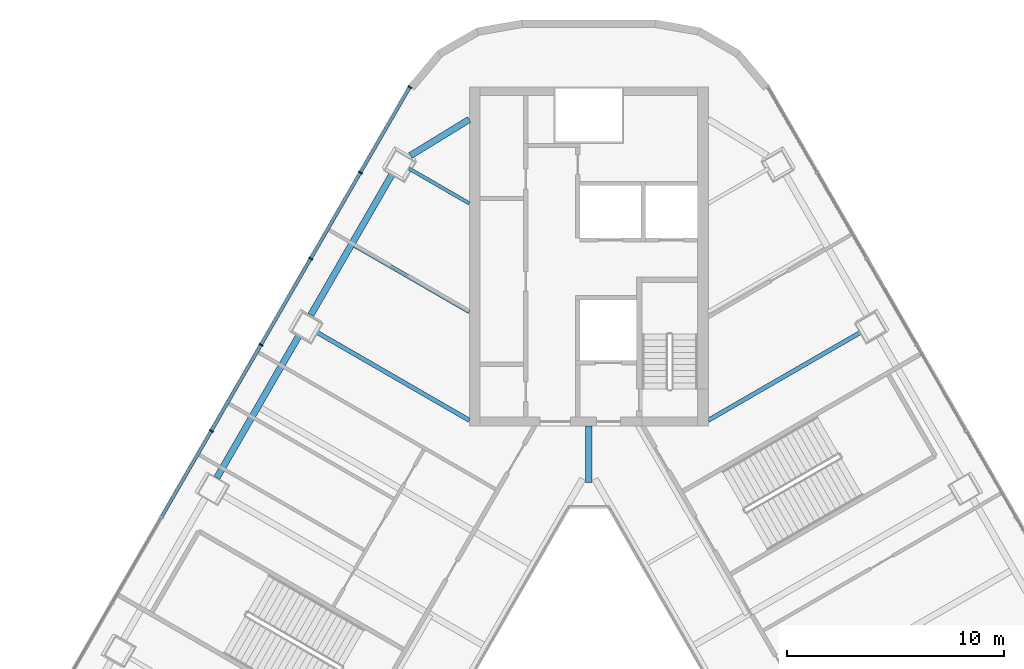
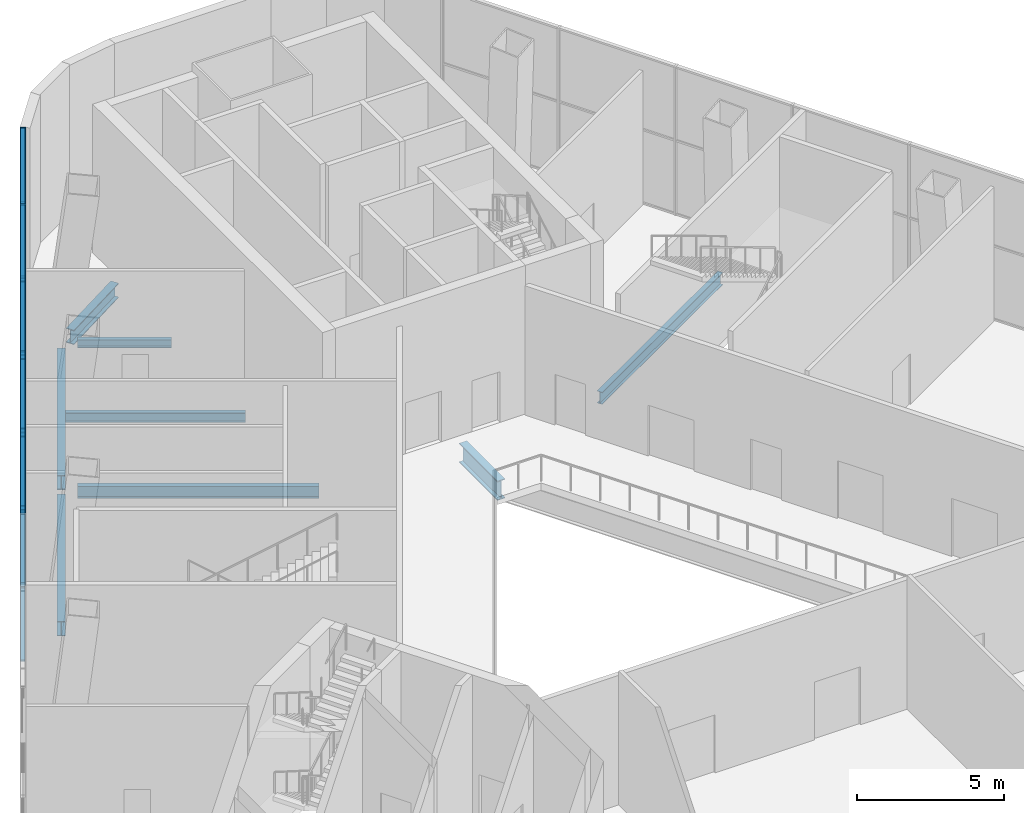
# One storey, part 7 of 17: 20 members, 8 beams, 1 element without a shape of its own.
"""IFC4 building model written with IfcOpenShell, lengths in metres."""

from ifc_helpers import new_model, si_unit, direction, frame, origin, origin_2d, place, context, subcontext, project, spatial, rectangle, i_section, extrude, material, layer, layer_set, material_profile, profile_set, type_object, element, aggregate, save


model = new_model("IFC4")

# Units and contexts
model_context = context("Model", 3, precision=1e-05, world=origin(), true_north=direction((0.0, 1.0)))
body_context = subcontext(model_context, "Body", "Model", "MODEL_VIEW")
ifc_project = project(units=[si_unit("LENGTHUNIT", "METRE"), si_unit("AREAUNIT", "SQUARE_METRE"), si_unit("VOLUMEUNIT", "CUBIC_METRE"), si_unit("PLANEANGLEUNIT", "RADIAN"), si_unit("MASSUNIT", "GRAM", prefix="KILO")], contexts=[model_context])

# Site, building, storey
site_placement = place(None, origin())
site = spatial("IfcSite", under=ifc_project, at=site_placement, CompositionType="ELEMENT")
building_placement = place(site_placement, origin())
building = spatial("IfcBuilding", under=site, at=building_placement, Name="Apuvela Tower Hotel", CompositionType="ELEMENT")
storey_placement = place(building_placement, frame((0.0, 0.0, 9.0)))
storey = spatial("IfcBuildingStorey", under=building, at=storey_placement, Name="L01", CompositionType="ELEMENT", Elevation=9.0)

# Curtain wall, members
ifc_material_1 = material(Name="Aluminium 6063-T6, dark bronze anodised", Category="aluminium")
ifc_layer = layer(ifc_material_1, 0.199951171875)
ifc_layer_set = layer_set([ifc_layer], Name="ENV-CW-P")
curtain_wall_type = type_object("IfcCurtainWallType", Name="ENV-CW-P", PredefinedType="NOTDEFINED", material=ifc_layer_set)
curtain_wall_placement = place(storey_placement, origin())
curtain_wall = element("IfcCurtainWall", 1, at=curtain_wall_placement, inside=storey, type_object=curtain_wall_type, Name="Curtain wall CW-P NW L01", PredefinedType="NOTDEFINED")
ifc_material_profile_1 = material_profile(ifc_material_1, rectangle(XDim=0.199951171875, YDim=0.06494140625, at=origin_2d()), Name="AL 65x200")
ifc_profile_set_1 = profile_set([ifc_material_profile_1], Name="Aluminium 6063-T6, dark bronze anodised")
member_type_1 = type_object("IfcMemberType", Name="ENV-MULLION-65x200", PredefinedType="MULLION", material=ifc_profile_set_1)
member_1_placement = place(storey_placement, frame((-8.236572265625, 28.490234375, 0.0), z_axis=(0.0, 0.0, 1.0), x_axis=(0.866025428062, -0.49999995795, 0.0)))
member_1 = element("IfcMember", 2, at=member_1_placement, type_object=member_type_1, Name="CW-P mullion 1", PredefinedType="MULLION", context=body_context, shape_type="SweptSolid", body=[
    extrude(rectangle(XDim=0.199951171875, YDim=0.06494140625, at=origin_2d()), origin(), (0.0, 0.0, 1.0), 6.14990234375),
])
member_2_placement = place(storey_placement, frame((-10.5078125, 24.556396484375, 0.0), z_axis=(0.0, 0.0, 1.0), x_axis=(0.866025428062, -0.49999995795, 0.0)))
member_2 = element("IfcMember", 3, at=member_2_placement, type_object=member_type_1, Name="CW-P mullion 2", PredefinedType="MULLION", context=body_context, shape_type="SweptSolid", body=[
    extrude(rectangle(XDim=0.199951171875, YDim=0.06494140625, at=origin_2d()), origin(), (0.0, 0.0, 1.0), 6.14990234375),
])
member_3_placement = place(storey_placement, frame((-12.79541015625, 20.594482421875, 0.0), z_axis=(0.0, 0.0, 1.0), x_axis=(0.866025428062, -0.49999995795, 0.0)))
member_3 = element("IfcMember", 4, at=member_3_placement, type_object=member_type_1, Name="CW-P mullion 3", PredefinedType="MULLION", context=body_context, shape_type="SweptSolid", body=[
    extrude(rectangle(XDim=0.199951171875, YDim=0.06494140625, at=origin_2d()), origin(), (0.0, 0.0, 1.0), 6.14990234375),
])
member_4_placement = place(storey_placement, frame((-15.0830078125, 16.63232421875, 0.0), z_axis=(0.0, 0.0, 1.0), x_axis=(0.866025428062, -0.49999995795, 0.0)))
member_4 = element("IfcMember", 5, at=member_4_placement, type_object=member_type_1, Name="CW-P mullion 4", PredefinedType="MULLION", context=body_context, shape_type="SweptSolid", body=[
    extrude(rectangle(XDim=0.199951171875, YDim=0.06494140625, at=origin_2d()), origin(), (0.0, 0.0, 1.0), 6.14990234375),
])
member_5_placement = place(storey_placement, frame((-17.370361328125, 12.670166015625, 0.0), z_axis=(0.0, 0.0, 1.0), x_axis=(0.866025428062, -0.49999995795, 0.0)))
member_5 = element("IfcMember", 6, at=member_5_placement, type_object=member_type_1, Name="CW-P mullion 5", PredefinedType="MULLION", context=body_context, shape_type="SweptSolid", body=[
    extrude(rectangle(XDim=0.199951171875, YDim=0.06494140625, at=origin_2d()), origin(), (0.0, 0.0, 1.0), 6.14990234375),
])
ifc_material_profile_2 = material_profile(ifc_material_1, rectangle(XDim=0.14990234375, YDim=0.06494140625, at=origin_2d()), Name="AL 65x150 transom")
ifc_profile_set_2 = profile_set([ifc_material_profile_2], Name="Aluminium 6063-T6, dark bronze anodised")
member_type_2 = type_object("IfcMemberType", Name="ENV-TRANSOM-65x150", PredefinedType="USERDEFINED", material=ifc_profile_set_2)
member_6_placement = place(storey_placement, frame((-8.2529296875, 28.462158203125, 0.032470703125), z_axis=(-0.499997778408, -0.866026686418, 0.0), x_axis=(0.866026686418, -0.499997778408, 0.0)))
member_6 = element("IfcMember", 7, at=member_6_placement, type_object=member_type_2, Name="CW-P transom 1.1", ObjectType="TRANSOM", PredefinedType="USERDEFINED", context=body_context, shape_type="SweptSolid", body=[
    extrude(rectangle(XDim=0.14990234375, YDim=0.06494140625, at=origin_2d()), origin(), (0.0, 0.0, 1.0), 4.4775390625),
])
member_7_placement = place(storey_placement, frame((-8.2529296875, 28.462158203125, 3.074951171875), z_axis=(-0.499997778408, -0.866026686418, 0.0), x_axis=(0.866026686418, -0.499997778408, 0.0)))
member_7 = element("IfcMember", 8, at=member_7_placement, type_object=member_type_2, Name="CW-P transom 1.2", ObjectType="TRANSOM", PredefinedType="USERDEFINED", context=body_context, shape_type="SweptSolid", body=[
    extrude(rectangle(XDim=0.14990234375, YDim=0.06494140625, at=origin_2d()), origin(), (0.0, 0.0, 1.0), 4.4775390625),
])
member_8_placement = place(storey_placement, frame((-8.2529296875, 28.462158203125, 6.117431640625), z_axis=(-0.499997778408, -0.866026686418, 0.0), x_axis=(0.866026686418, -0.499997778408, 0.0)))
member_8 = element("IfcMember", 9, at=member_8_placement, type_object=member_type_2, Name="CW-P transom 1.3", ObjectType="TRANSOM", PredefinedType="USERDEFINED", context=body_context, shape_type="SweptSolid", body=[
    extrude(rectangle(XDim=0.14990234375, YDim=0.06494140625, at=origin_2d()), origin(), (0.0, 0.0, 1.0), 4.4775390625),
])
member_9_placement = place(storey_placement, frame((-10.524169921875, 24.5283203125, 0.032470703125), z_axis=(-0.499981745636, -0.86603594269, 0.0), x_axis=(0.86603594269, -0.499981745636, 0.0)))
member_9 = element("IfcMember", 10, at=member_9_placement, type_object=member_type_2, Name="CW-P transom 2.1", ObjectType="TRANSOM", PredefinedType="USERDEFINED", context=body_context, shape_type="SweptSolid", body=[
    extrude(rectangle(XDim=0.14990234375, YDim=0.06494140625, at=origin_2d()), origin(), (0.0, 0.0, 1.0), 4.510009765625),
])
member_10_placement = place(storey_placement, frame((-10.524169921875, 24.5283203125, 3.074951171875), z_axis=(-0.499981745636, -0.86603594269, 0.0), x_axis=(0.86603594269, -0.499981745636, 0.0)))
member_10 = element("IfcMember", 11, at=member_10_placement, type_object=member_type_2, Name="CW-P transom 2.2", ObjectType="TRANSOM", PredefinedType="USERDEFINED", context=body_context, shape_type="SweptSolid", body=[
    extrude(rectangle(XDim=0.14990234375, YDim=0.06494140625, at=origin_2d()), origin(), (0.0, 0.0, 1.0), 4.510009765625),
])
member_11_placement = place(storey_placement, frame((-10.524169921875, 24.5283203125, 6.117431640625), z_axis=(-0.499981745636, -0.86603594269, 0.0), x_axis=(0.86603594269, -0.499981745636, 0.0)))
member_11 = element("IfcMember", 12, at=member_11_placement, type_object=member_type_2, Name="CW-P transom 2.3", ObjectType="TRANSOM", PredefinedType="USERDEFINED", context=body_context, shape_type="SweptSolid", body=[
    extrude(rectangle(XDim=0.14990234375, YDim=0.06494140625, at=origin_2d()), origin(), (0.0, 0.0, 1.0), 4.510009765625),
])
member_12_placement = place(storey_placement, frame((-12.811767578125, 20.566162109375, 0.032470703125), z_axis=(-0.499981745636, -0.86603594269, 0.0), x_axis=(0.86603594269, -0.499981745636, 0.0)))
member_12 = element("IfcMember", 13, at=member_12_placement, type_object=member_type_2, Name="CW-P transom 3.1", ObjectType="TRANSOM", PredefinedType="USERDEFINED", context=body_context, shape_type="SweptSolid", body=[
    extrude(rectangle(XDim=0.14990234375, YDim=0.06494140625, at=origin_2d()), origin(), (0.0, 0.0, 1.0), 4.510009765625),
])
member_13_placement = place(storey_placement, frame((-12.811767578125, 20.566162109375, 3.074951171875), z_axis=(-0.499981745636, -0.86603594269, 0.0), x_axis=(0.86603594269, -0.499981745636, 0.0)))
member_13 = element("IfcMember", 14, at=member_13_placement, type_object=member_type_2, Name="CW-P transom 3.2", ObjectType="TRANSOM", PredefinedType="USERDEFINED", context=body_context, shape_type="SweptSolid", body=[
    extrude(rectangle(XDim=0.14990234375, YDim=0.06494140625, at=origin_2d()), origin(), (0.0, 0.0, 1.0), 4.510009765625),
])
member_14_placement = place(storey_placement, frame((-12.811767578125, 20.566162109375, 6.117431640625), z_axis=(-0.499981745636, -0.86603594269, 0.0), x_axis=(0.86603594269, -0.499981745636, 0.0)))
member_14 = element("IfcMember", 15, at=member_14_placement, type_object=member_type_2, Name="CW-P transom 3.3", ObjectType="TRANSOM", PredefinedType="USERDEFINED", context=body_context, shape_type="SweptSolid", body=[
    extrude(rectangle(XDim=0.14990234375, YDim=0.06494140625, at=origin_2d()), origin(), (0.0, 0.0, 1.0), 4.510009765625),
])
member_15_placement = place(storey_placement, frame((-15.09912109375, 16.604248046875, 0.032470703125), z_axis=(-0.500022345486, -0.866012502228, 0.0), x_axis=(0.866012502228, -0.500022345486, 0.0)))
member_15 = element("IfcMember", 16, at=member_15_placement, type_object=member_type_2, Name="CW-P transom 4.1", ObjectType="TRANSOM", PredefinedType="USERDEFINED", context=body_context, shape_type="SweptSolid", body=[
    extrude(rectangle(XDim=0.14990234375, YDim=0.06494140625, at=origin_2d()), origin(), (0.0, 0.0, 1.0), 4.510009765625),
])
member_16_placement = place(storey_placement, frame((-15.09912109375, 16.604248046875, 3.074951171875), z_axis=(-0.500022345486, -0.866012502228, 0.0), x_axis=(0.866012502228, -0.500022345486, 0.0)))
member_16 = element("IfcMember", 17, at=member_16_placement, type_object=member_type_2, Name="CW-P transom 4.2", ObjectType="TRANSOM", PredefinedType="USERDEFINED", context=body_context, shape_type="SweptSolid", body=[
    extrude(rectangle(XDim=0.14990234375, YDim=0.06494140625, at=origin_2d()), origin(), (0.0, 0.0, 1.0), 4.510009765625),
])
member_17_placement = place(storey_placement, frame((-15.09912109375, 16.604248046875, 6.117431640625), z_axis=(-0.500022345486, -0.866012502228, 0.0), x_axis=(0.866012502228, -0.500022345486, 0.0)))
member_17 = element("IfcMember", 18, at=member_17_placement, type_object=member_type_2, Name="CW-P transom 4.3", ObjectType="TRANSOM", PredefinedType="USERDEFINED", context=body_context, shape_type="SweptSolid", body=[
    extrude(rectangle(XDim=0.14990234375, YDim=0.06494140625, at=origin_2d()), origin(), (0.0, 0.0, 1.0), 4.510009765625),
])
member_18_placement = place(storey_placement, frame((-17.38671875, 12.64208984375, 0.032470703125), z_axis=(-0.499981745636, -0.86603594269, 0.0), x_axis=(0.86603594269, -0.499981745636, 0.0)))
member_18 = element("IfcMember", 19, at=member_18_placement, type_object=member_type_2, Name="CW-P transom 5.1", ObjectType="TRANSOM", PredefinedType="USERDEFINED", context=body_context, shape_type="SweptSolid", body=[
    extrude(rectangle(XDim=0.14990234375, YDim=0.06494140625, at=origin_2d()), origin(), (0.0, 0.0, 1.0), 4.510009765625),
])
member_19_placement = place(storey_placement, frame((-17.38671875, 12.64208984375, 3.074951171875), z_axis=(-0.499981745636, -0.86603594269, 0.0), x_axis=(0.86603594269, -0.499981745636, 0.0)))
member_19 = element("IfcMember", 20, at=member_19_placement, type_object=member_type_2, Name="CW-P transom 5.2", ObjectType="TRANSOM", PredefinedType="USERDEFINED", context=body_context, shape_type="SweptSolid", body=[
    extrude(rectangle(XDim=0.14990234375, YDim=0.06494140625, at=origin_2d()), origin(), (0.0, 0.0, 1.0), 4.510009765625),
])
member_20_placement = place(storey_placement, frame((-17.38671875, 12.64208984375, 6.117431640625), z_axis=(-0.499981745636, -0.86603594269, 0.0), x_axis=(0.86603594269, -0.499981745636, 0.0)))
member_20 = element("IfcMember", 21, at=member_20_placement, type_object=member_type_2, Name="CW-P transom 5.3", ObjectType="TRANSOM", PredefinedType="USERDEFINED", context=body_context, shape_type="SweptSolid", body=[
    extrude(rectangle(XDim=0.14990234375, YDim=0.06494140625, at=origin_2d()), origin(), (0.0, 0.0, 1.0), 4.510009765625),
])
aggregate(curtain_wall, [member_1, member_2, member_3, member_4, member_5, member_6, member_7, member_8, member_9, member_10, member_11, member_12, member_13, member_14, member_15, member_16, member_17, member_18, member_19, member_20])

# Beams
ifc_material_2 = material(Name="Steel S355", Category="steel")
ifc_material_profile_3 = material_profile(ifc_material_2, i_section(OverallWidth=0.159912109375, OverallDepth=0.330078125, WebThickness=0.007568359375, FlangeThickness=0.011474609375, at=origin_2d()), Name="IPE 330")
ifc_profile_set_3 = profile_set([ifc_material_profile_3], Name="Steel S355")
beam_type_1 = type_object("IfcBeamType", Name="STR-B floor beam IPE 330", PredefinedType="BEAM", material=ifc_profile_set_3)
beam_1_placement = place(storey_placement, frame((-8.268310546875, 24.735595703125, -0.465087890625), z_axis=(0.866044409959, -0.499967078895, 0.0), x_axis=(0.499967078895, 0.866044409959, 0.0)))
element("IfcBeam", 22, at=beam_1_placement, inside=storey, type_object=beam_type_1, Name="Floor beam B1 NW1", PredefinedType="BEAM", context=body_context, shape_type="SweptSolid", body=[
    extrude(i_section(OverallWidth=0.159912109375, OverallDepth=0.330078125, WebThickness=0.007568359375, FlangeThickness=0.011474609375, at=origin_2d()), origin(), (0.0, 0.0, 1.0), 3.196533203125),
])
ifc_material_profile_4 = material_profile(ifc_material_2, i_section(OverallWidth=0.179931640625, OverallDepth=0.39990234375, WebThickness=0.008544921875, FlangeThickness=0.013427734375, at=origin_2d()), Name="IPE 400")
ifc_profile_set_4 = profile_set([ifc_material_profile_4], Name="Steel S355")
beam_type_2 = type_object("IfcBeamType", Name="STR-B floor beam IPE 400", PredefinedType="BEAM", material=ifc_profile_set_4)
beam_2_placement = place(storey_placement, frame((-10.775390625, 21.19287109375, -0.5), z_axis=(0.866014723935, -0.500018497585, 0.0), x_axis=(0.500018497585, 0.866014723935, 0.0)))
element("IfcBeam", 23, at=beam_2_placement, inside=storey, type_object=beam_type_2, Name="Floor beam B2 NW2", PredefinedType="BEAM", context=body_context, shape_type="SweptSolid", body=[
    extrude(i_section(OverallWidth=0.179931640625, OverallDepth=0.39990234375, WebThickness=0.008544921875, FlangeThickness=0.013427734375, at=origin_2d()), origin(), (0.0, 0.0, 1.0), 6.091552734375),
])
ifc_material_profile_5 = material_profile(ifc_material_2, i_section(OverallWidth=0.199951171875, OverallDepth=0.5, WebThickness=0.01025390625, FlangeThickness=0.01611328125, at=origin_2d()), Name="IPE 500")
ifc_profile_set_5 = profile_set([ifc_material_profile_5], Name="Steel S355")
beam_type_3 = type_object("IfcBeamType", Name="STR-B floor beam IPE 500", PredefinedType="BEAM", material=ifc_profile_set_5)
for number, where, z_axis, x_axis, name in (
    (24, (12.590087890625, 17.25, -0.550048828125), (-0.86602319786, -0.500003820754, 0.0), (0.500003820754, -0.86602319786, 0.0), "Floor beam B3 NE7"),
    (25, (-12.590087890625, 17.25, -0.550048828125), (0.86602319786, -0.500003820754, 0.0), (0.500003820754, 0.86602319786, 0.0), "Floor beam B3 NW3"),
):
    element("IfcBeam", number, at=place(storey_placement, frame(where, z_axis=z_axis, x_axis=x_axis)), inside=storey, type_object=beam_type_3, Name=name, PredefinedType="BEAM", context=body_context, shape_type="SweptSolid", body=[
        extrude(i_section(OverallWidth=0.199951171875, OverallDepth=0.5, WebThickness=0.01025390625, FlangeThickness=0.01611328125, at=origin_2d()), origin(), (0.0, 0.0, 1.0), 8.18701171875),
    ])
ifc_material_profile_6 = material_profile(ifc_material_2, i_section(OverallWidth=0.300048828125, OverallDepth=0.800048828125, WebThickness=0.017578125, FlangeThickness=0.032958984375, at=origin_2d()), Name="HE 800 B")
ifc_profile_set_6 = profile_set([ifc_material_profile_6], Name="Steel S355")
beam_type_4 = type_object("IfcBeamType", Name="STR-GT core tie beam HE 800 B", PredefinedType="BEAM", material=ifc_profile_set_6)
beam_3_placement = place(storey_placement, frame((0.0, 12.89990234375, -0.699951171875), z_axis=(0.0, -1.0, 0.0), x_axis=(1.0, 0.0, 0.0)))
element("IfcBeam", 26, at=beam_3_placement, inside=storey, type_object=beam_type_4, Name="Core tie beam GT1 N", PredefinedType="BEAM", context=body_context, shape_type="SweptSolid", body=[
    extrude(i_section(OverallWidth=0.300048828125, OverallDepth=0.800048828125, WebThickness=0.017578125, FlangeThickness=0.032958984375, at=origin_2d()), origin(), (0.0, 0.0, 1.0), 2.599853515625),
])
ifc_material_profile_7 = material_profile(ifc_material_2, i_section(OverallWidth=0.300048828125, OverallDepth=0.60009765625, WebThickness=0.015380859375, FlangeThickness=0.030029296875, at=origin_2d()), Name="HE 600 B")
ifc_profile_set_7 = profile_set([ifc_material_profile_7], Name="Steel S355")
beam_type_5 = type_object("IfcBeamType", Name="STR-SB spandrel beam HE 600 B", PredefinedType="SPANDREL", material=ifc_profile_set_7)
for number, where, z_axis, x_axis, name in (
    (27, (-9.01953125, 24.534423828125, -0.60009765625), (-0.500002592159, -0.866023907196, 0.0), (0.866023907196, -0.500002592159, 0.0), "Spandrel beam SB1 NW1"),
    (28, (-13.34130859375, 17.048583984375, -0.60009765625), (-0.500002592159, -0.866023907196, 0.0), (0.866023907196, -0.500002592159, 0.0), "Spandrel beam SB1 NW2"),
):
    element("IfcBeam", number, at=place(storey_placement, frame(where, z_axis=z_axis, x_axis=x_axis)), inside=storey, type_object=beam_type_5, Name=name, PredefinedType="SPANDREL", context=body_context, shape_type="SweptSolid", body=[
        extrude(i_section(OverallWidth=0.300048828125, OverallDepth=0.60009765625, WebThickness=0.015380859375, FlangeThickness=0.030029296875, at=origin_2d()), origin(), (0.0, 0.0, 1.0), 7.5439453125),
    ])
beam_4_placement = place(storey_placement, frame((-8.2109375, 25.337890625, -0.60009765625), z_axis=(0.852521794976, 0.522691676891, 0.0), x_axis=(-0.522691676891, 0.852521794976, 0.0)))
element("IfcBeam", 29, at=beam_4_placement, inside=storey, type_object=beam_type_5, Name="Spandrel beam SB1 NW1-N", PredefinedType="SPANDREL", context=body_context, shape_type="SweptSolid", body=[
    extrude(i_section(OverallWidth=0.300048828125, OverallDepth=0.60009765625, WebThickness=0.015380859375, FlangeThickness=0.030029296875, at=origin_2d()), origin(), (0.0, 0.0, 1.0), 3.179931640625),
])

save(model, "model.ifc")
